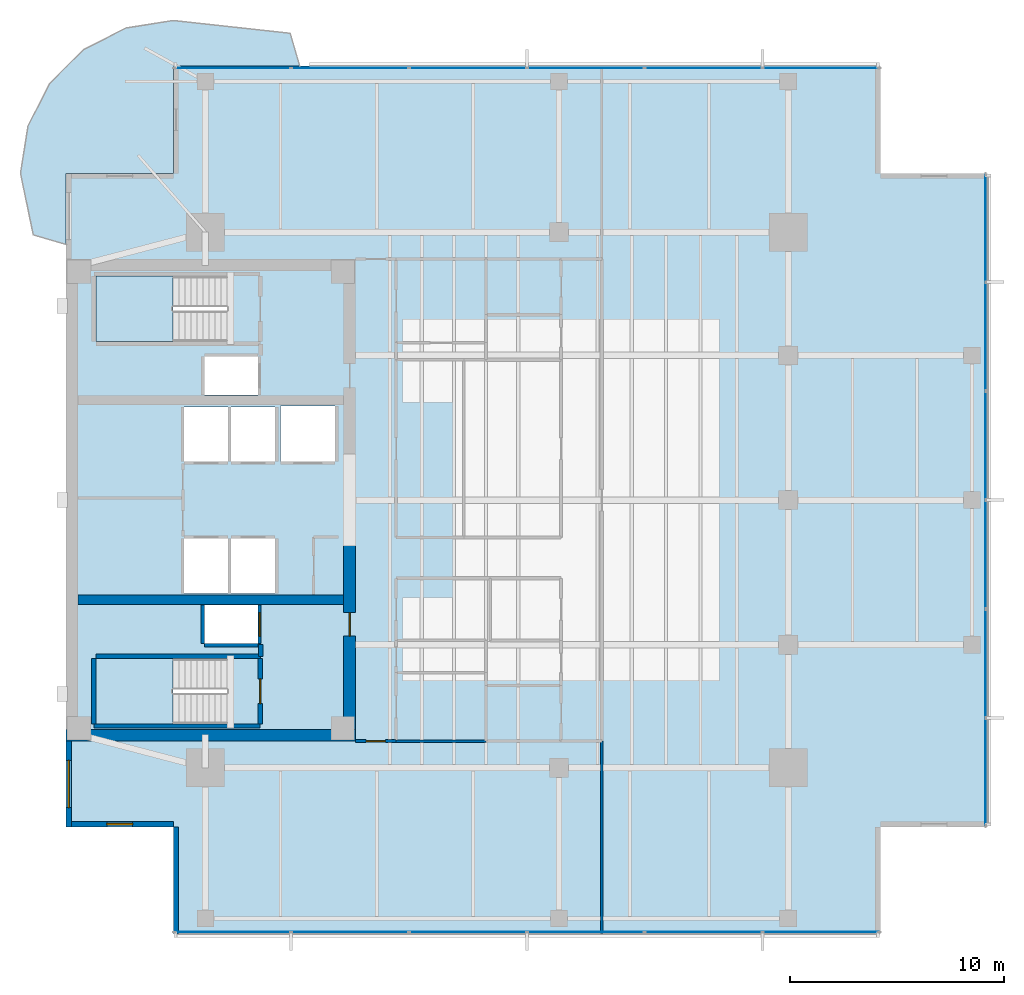
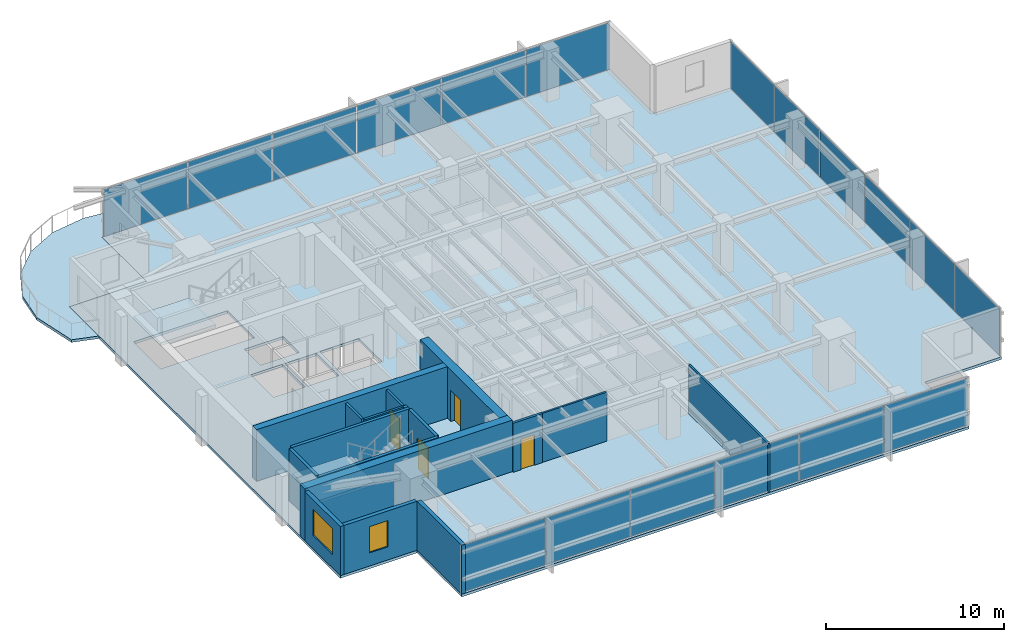
# One storey, part 7 of 14: 18 plates, 17 walls, 4 doors, 4 slabs, 2 windows, 6 openings, 5 elements without a shape of their own.
"""IFC4 building model written with IfcOpenShell, lengths in metres."""

from ifc_helpers import new_model, si_unit, direction, frame, frame_2d, origin, origin_2d, place, context, subcontext, project, spatial, polyline, rectangle, outline, extrude, material, layer, layer_set, type_object, element, fill, aggregate, save


model = new_model("IFC4")

# Units and contexts
model_context = context("Model", 3, precision=1e-05, world=origin(), true_north=direction((0.0, 1.0)))
body_context = subcontext(model_context, "Body", "Model", "MODEL_VIEW")
ifc_project = project(units=[si_unit("LENGTHUNIT", "METRE"), si_unit("AREAUNIT", "SQUARE_METRE"), si_unit("VOLUMEUNIT", "CUBIC_METRE"), si_unit("PLANEANGLEUNIT", "RADIAN"), si_unit("MASSUNIT", "GRAM", prefix="KILO")], contexts=[model_context])

# Site, building, storey
site_placement = place(None, origin())
site = spatial("IfcSite", under=ifc_project, at=site_placement, CompositionType="ELEMENT")
building_placement = place(site_placement, origin())
building = spatial("IfcBuilding", under=site, at=building_placement, Name="Kinhvarn Gate Tower", CompositionType="ELEMENT")
storey_placement = place(building_placement, frame((0.0, 0.0, 191.60009765625)))
storey = spatial("IfcBuildingStorey", under=building, at=storey_placement, Name="L50", CompositionType="ELEMENT", Elevation=191.60009765625)

# Curtain wall, plates
ifc_material_1 = material(Name="Anodised aluminium AW-6063", Category="aluminium")
ifc_layer_1 = layer(ifc_material_1, 0.179931640625)
ifc_layer_set_1 = layer_set([ifc_layer_1], Name="Anodised aluminium AW-6063")
curtain_wall_type = type_object("IfcCurtainWallType", Name="CW-SYS-3", PredefinedType="NOTDEFINED", material=ifc_layer_set_1)
curtain_wall_1_placement = place(storey_placement, origin())
curtain_wall_1 = element("IfcCurtainWall", 1, at=curtain_wall_1_placement, inside=storey, type_object=curtain_wall_type, Name="Curtain Wall CW3 (L50)", PredefinedType="NOTDEFINED")
ifc_material_2 = material(Name="Clear low-e double glazing", Category="glass")
ifc_layer_2 = layer(ifc_material_2, 0.031982421875)
ifc_layer_set_2 = layer_set([ifc_layer_2], Name="Clear low-e double glazing")
plate_type = type_object("IfcPlateType", Name="CW-PNL-VIS", PredefinedType="CURTAIN_PANEL", material=ifc_layer_set_2)
plate_1_placement = place(storey_placement, frame((12.266357421875, 5.090087890625, 0.06982421875), z_axis=(0.0, 0.0, 1.0), x_axis=(1.0, 0.0, 0.0)))
plate_1 = element("IfcPlate", 2, at=plate_1_placement, type_object=plate_type, Name="CW3 panel 1.1", PredefinedType="CURTAIN_PANEL", context=body_context, shape_type="SweptSolid", body=[
    extrude(rectangle(XDim=5.402587890625, YDim=0.031982421875, at=origin_2d()), origin(), (0.0, 0.0, 1.0), 3.22998046875),
])
plate_2_placement = place(storey_placement, frame((17.75, 5.090087890625, 0.06982421875), z_axis=(0.0, 0.0, 1.0), x_axis=(1.0, 0.0, 0.0)))
plate_2 = element("IfcPlate", 3, at=plate_2_placement, type_object=plate_type, Name="CW3 panel 2.1", PredefinedType="CURTAIN_PANEL", context=body_context, shape_type="SweptSolid", body=[
    extrude(rectangle(XDim=5.43505859375, YDim=0.031982421875, at=origin_2d()), origin(), (0.0, 0.0, 1.0), 3.22998046875),
])
plate_3_placement = place(storey_placement, frame((23.25, 5.090087890625, 0.06982421875), z_axis=(0.0, 0.0, 1.0), x_axis=(1.0, 0.0, 0.0)))
plate_3 = element("IfcPlate", 4, at=plate_3_placement, type_object=plate_type, Name="CW3 panel 3.1", PredefinedType="CURTAIN_PANEL", context=body_context, shape_type="SweptSolid", body=[
    extrude(rectangle(XDim=5.43505859375, YDim=0.031982421875, at=origin_2d()), origin(), (0.0, 0.0, 1.0), 3.22998046875),
])
plate_4_placement = place(storey_placement, frame((28.75, 5.090087890625, 0.06982421875), z_axis=(0.0, 0.0, 1.0), x_axis=(1.0, 0.0, 0.0)))
plate_4 = element("IfcPlate", 5, at=plate_4_placement, type_object=plate_type, Name="CW3 panel 4.1", PredefinedType="CURTAIN_PANEL", context=body_context, shape_type="SweptSolid", body=[
    extrude(rectangle(XDim=5.43505859375, YDim=0.031982421875, at=origin_2d()), origin(), (0.0, 0.0, 1.0), 3.22998046875),
])
plate_5_placement = place(storey_placement, frame((34.25, 5.090087890625, 0.06982421875), z_axis=(0.0, 0.0, 1.0), x_axis=(1.0, 0.0, 0.0)))
plate_5 = element("IfcPlate", 6, at=plate_5_placement, type_object=plate_type, Name="CW3 panel 5.1", PredefinedType="CURTAIN_PANEL", context=body_context, shape_type="SweptSolid", body=[
    extrude(rectangle(XDim=5.43505859375, YDim=0.031982421875, at=origin_2d()), origin(), (0.0, 0.0, 1.0), 3.22998046875),
])
plate_6_placement = place(storey_placement, frame((39.733642578125, 5.090087890625, 0.06982421875), z_axis=(0.0, 0.0, 1.0), x_axis=(1.0, 0.0, 0.0)))
plate_6 = element("IfcPlate", 7, at=plate_6_placement, type_object=plate_type, Name="CW3 panel 6.1", PredefinedType="CURTAIN_PANEL", context=body_context, shape_type="SweptSolid", body=[
    extrude(rectangle(XDim=5.402587890625, YDim=0.031982421875, at=origin_2d()), origin(), (0.0, 0.0, 1.0), 3.22998046875),
])
aggregate(curtain_wall_1, [plate_1, plate_2, plate_3, plate_4, plate_5, plate_6])

curtain_wall_2_placement = place(storey_placement, origin())
curtain_wall_2 = element("IfcCurtainWall", 8, at=curtain_wall_2_placement, inside=storey, type_object=curtain_wall_type, Name="Curtain Wall CW3 (L50)", PredefinedType="NOTDEFINED")
plate_7_placement = place(storey_placement, frame((39.733642578125, 45.409912109375, 0.06982421875), z_axis=(0.0, 0.0, 1.0), x_axis=(-1.0, 0.0, 0.0)))
plate_7 = element("IfcPlate", 9, at=plate_7_placement, type_object=plate_type, Name="CW3 panel 1.1", PredefinedType="CURTAIN_PANEL", context=body_context, shape_type="SweptSolid", body=[
    extrude(rectangle(XDim=5.402587890625, YDim=0.031982421875, at=origin_2d()), origin(), (0.0, 0.0, 1.0), 3.22998046875),
])
plate_8_placement = place(storey_placement, frame((34.25, 45.409912109375, 0.06982421875), z_axis=(0.0, 0.0, 1.0), x_axis=(-1.0, 0.0, 0.0)))
plate_8 = element("IfcPlate", 10, at=plate_8_placement, type_object=plate_type, Name="CW3 panel 2.1", PredefinedType="CURTAIN_PANEL", context=body_context, shape_type="SweptSolid", body=[
    extrude(rectangle(XDim=5.43505859375, YDim=0.031982421875, at=origin_2d()), origin(), (0.0, 0.0, 1.0), 3.22998046875),
])
plate_9_placement = place(storey_placement, frame((28.75, 45.409912109375, 0.06982421875), z_axis=(0.0, 0.0, 1.0), x_axis=(-1.0, 0.0, 0.0)))
plate_9 = element("IfcPlate", 11, at=plate_9_placement, type_object=plate_type, Name="CW3 panel 3.1", PredefinedType="CURTAIN_PANEL", context=body_context, shape_type="SweptSolid", body=[
    extrude(rectangle(XDim=5.43505859375, YDim=0.031982421875, at=origin_2d()), origin(), (0.0, 0.0, 1.0), 3.22998046875),
])
plate_10_placement = place(storey_placement, frame((23.25, 45.409912109375, 0.06982421875), z_axis=(0.0, 0.0, 1.0), x_axis=(-1.0, 0.0, 0.0)))
plate_10 = element("IfcPlate", 12, at=plate_10_placement, type_object=plate_type, Name="CW3 panel 4.1", PredefinedType="CURTAIN_PANEL", context=body_context, shape_type="SweptSolid", body=[
    extrude(rectangle(XDim=5.43505859375, YDim=0.031982421875, at=origin_2d()), origin(), (0.0, 0.0, 1.0), 3.22998046875),
])
plate_11_placement = place(storey_placement, frame((17.75, 45.409912109375, 0.06982421875), z_axis=(0.0, 0.0, 1.0), x_axis=(-1.0, 0.0, 0.0)))
plate_11 = element("IfcPlate", 13, at=plate_11_placement, type_object=plate_type, Name="CW3 panel 5.1", PredefinedType="CURTAIN_PANEL", context=body_context, shape_type="SweptSolid", body=[
    extrude(rectangle(XDim=5.43505859375, YDim=0.031982421875, at=origin_2d()), origin(), (0.0, 0.0, 1.0), 3.22998046875),
])
plate_12_placement = place(storey_placement, frame((12.266357421875, 45.409912109375, 0.06982421875), z_axis=(0.0, 0.0, 1.0), x_axis=(-1.0, 0.0, 0.0)))
plate_12 = element("IfcPlate", 14, at=plate_12_placement, type_object=plate_type, Name="CW3 panel 6.1", PredefinedType="CURTAIN_PANEL", context=body_context, shape_type="SweptSolid", body=[
    extrude(rectangle(XDim=5.402587890625, YDim=0.031982421875, at=origin_2d()), origin(), (0.0, 0.0, 1.0), 3.22998046875),
])
aggregate(curtain_wall_2, [plate_7, plate_8, plate_9, plate_10, plate_11, plate_12])

curtain_wall_3_placement = place(storey_placement, origin())
curtain_wall_3 = element("IfcCurtainWall", 15, at=curtain_wall_3_placement, inside=storey, type_object=curtain_wall_type, Name="Curtain Wall CW3 (L50)", PredefinedType="NOTDEFINED")
plate_13_placement = place(storey_placement, frame((47.409912109375, 12.557861328125, 0.06982421875), z_axis=(0.0, 0.0, 1.0), x_axis=(0.0, 1.0, 0.0)))
plate_13 = element("IfcPlate", 16, at=plate_13_placement, type_object=plate_type, Name="CW3 panel 1.1", PredefinedType="CURTAIN_PANEL", context=body_context, shape_type="SweptSolid", body=[
    extrude(rectangle(XDim=4.98583984375, YDim=0.031982421875, at=origin_2d()), origin(), (0.0, 0.0, 1.0), 3.22998046875),
])
plate_14_placement = place(storey_placement, frame((47.409912109375, 17.625, 0.06982421875), z_axis=(0.0, 0.0, 1.0), x_axis=(0.0, 1.0, 0.0)))
plate_14 = element("IfcPlate", 17, at=plate_14_placement, type_object=plate_type, Name="CW3 panel 2.1", PredefinedType="CURTAIN_PANEL", context=body_context, shape_type="SweptSolid", body=[
    extrude(rectangle(XDim=5.018310546875, YDim=0.031982421875, at=origin_2d()), origin(), (0.0, 0.0, 1.0), 3.22998046875),
])
plate_15_placement = place(storey_placement, frame((47.409912109375, 22.708251953125, 0.06982421875), z_axis=(0.0, 0.0, 1.0), x_axis=(0.0, 1.0, 0.0)))
plate_15 = element("IfcPlate", 18, at=plate_15_placement, type_object=plate_type, Name="CW3 panel 3.1", PredefinedType="CURTAIN_PANEL", context=body_context, shape_type="SweptSolid", body=[
    extrude(rectangle(XDim=5.018310546875, YDim=0.031982421875, at=origin_2d()), origin(), (0.0, 0.0, 1.0), 3.22998046875),
])
plate_16_placement = place(storey_placement, frame((47.409912109375, 27.791748046875, 0.06982421875), z_axis=(0.0, 0.0, 1.0), x_axis=(0.0, 1.0, 0.0)))
plate_16 = element("IfcPlate", 19, at=plate_16_placement, type_object=plate_type, Name="CW3 panel 4.1", PredefinedType="CURTAIN_PANEL", context=body_context, shape_type="SweptSolid", body=[
    extrude(rectangle(XDim=5.018310546875, YDim=0.031982421875, at=origin_2d()), origin(), (0.0, 0.0, 1.0), 3.22998046875),
])
plate_17_placement = place(storey_placement, frame((47.409912109375, 32.875, 0.06982421875), z_axis=(0.0, 0.0, 1.0), x_axis=(0.0, 1.0, 0.0)))
plate_17 = element("IfcPlate", 20, at=plate_17_placement, type_object=plate_type, Name="CW3 panel 5.1", PredefinedType="CURTAIN_PANEL", context=body_context, shape_type="SweptSolid", body=[
    extrude(rectangle(XDim=5.018310546875, YDim=0.031982421875, at=origin_2d()), origin(), (0.0, 0.0, 1.0), 3.22998046875),
])
plate_18_placement = place(storey_placement, frame((47.409912109375, 37.942138671875, 0.06982421875), z_axis=(0.0, 0.0, 1.0), x_axis=(0.0, 1.0, 0.0)))
plate_18 = element("IfcPlate", 21, at=plate_18_placement, type_object=plate_type, Name="CW3 panel 6.1", PredefinedType="CURTAIN_PANEL", context=body_context, shape_type="SweptSolid", body=[
    extrude(rectangle(XDim=4.98583984375, YDim=0.031982421875, at=origin_2d()), origin(), (0.0, 0.0, 1.0), 3.22998046875),
])
aggregate(curtain_wall_3, [plate_13, plate_14, plate_15, plate_16, plate_17, plate_18])

# Slabs
ifc_material_3 = material(Name="Precast white architectural concrete C40/50", Category="concrete")
ifc_layer_3 = layer(ifc_material_3, 0.179931640625)
ifc_layer_set_3 = layer_set([ifc_layer_3], Name="Precast white architectural concrete C40/50")
slab_type_1 = type_object("IfcSlabType", Name="SLB-BAL-180", PredefinedType="FLOOR", material=ifc_layer_set_3)
slab_1_placement = place(storey_placement, frame((0.0, 0.0, -0.18017578125)))
element("IfcSlab", 22, at=slab_1_placement, inside=storey, type_object=slab_type_1, Name="S-Carve Curved Terrace Balcony Slab L50 (NW)", PredefinedType="FLOOR", context=body_context, shape_type="SweptSolid", body=[
    extrude(outline(polyline([(15.403076171875, 45.5), (14.952880859375, 47.0341796875), (9.5, 47.631103515625), (7.29638671875, 47.281982421875), (5.30859375, 46.26904296875), (3.73095703125, 44.69140625), (2.718017578125, 42.70361328125), (2.368896484375, 40.5), (2.9658203125, 37.626953125), (4.5, 37.177001953125), (4.5, 40.5), (9.5, 40.5), (9.5, 45.5), (15.403076171875, 45.5)])), origin(), (0.0, 0.0, 1.0), 0.18017578125),
])
ifc_material_4 = material(Name="Concrete C40/50", Category="concrete")
ifc_layer_4 = layer(ifc_material_4, 0.179931640625)
ifc_layer_set_4 = layer_set([ifc_layer_4], Name="Concrete C40/50")
slab_type_2 = type_object("IfcSlabType", Name="SLB-FLR-180", PredefinedType="FLOOR", material=ifc_layer_set_4)
slab_2_placement = place(storey_placement, frame((0.0, 0.0, -0.18017578125)))
element("IfcSlab", 23, at=slab_2_placement, inside=storey, type_object=slab_type_2, Name="Suspended Floor Slab L50", PredefinedType="FLOOR", context=body_context, shape_type="SweptSolid", body=[
    extrude(outline(polyline([(9.5, 5.0), (42.5, 5.0), (42.5, 10.0), (47.5, 10.0), (47.5, 40.5), (42.5, 40.5), (42.5, 45.5), (9.5, 45.5), (9.5, 40.5), (4.5, 40.5), (4.5, 10.0), (9.5, 10.0), (9.5, 5.0)]), holes=[polyline([(5.89990234375, 14.800048828125), (12.0, 14.800048828125), (12.0, 17.85009765625), (5.89990234375, 17.85009765625), (5.89990234375, 14.800048828125)]), polyline([(5.89990234375, 32.64990234375), (12.0, 32.64990234375), (12.0, 35.699951171875), (5.89990234375, 35.699951171875), (5.89990234375, 32.64990234375)]), polyline([(10.0, 20.89990234375), (12.050048828125, 20.89990234375), (12.050048828125, 23.449951171875), (10.0, 23.449951171875), (10.0, 20.89990234375)]), polyline([(12.199951171875, 20.89990234375), (14.25, 20.89990234375), (14.25, 23.449951171875), (12.199951171875, 23.449951171875), (12.199951171875, 20.89990234375)]), polyline([(10.0, 27.050048828125), (12.050048828125, 27.050048828125), (12.050048828125, 29.60009765625), (10.0, 29.60009765625), (10.0, 27.050048828125)]), polyline([(12.199951171875, 27.050048828125), (14.25, 27.050048828125), (14.25, 29.60009765625), (12.199951171875, 29.60009765625), (12.199951171875, 27.050048828125)]), polyline([(14.5, 27.050048828125), (17.050048828125, 27.050048828125), (17.050048828125, 29.64990234375), (14.5, 29.64990234375), (14.5, 27.050048828125)]), polyline([(10.949951171875, 18.550048828125), (13.449951171875, 18.550048828125), (13.449951171875, 20.35009765625), (10.949951171875, 20.35009765625), (10.949951171875, 18.550048828125)]), polyline([(10.949951171875, 30.14990234375), (13.449951171875, 30.14990234375), (13.449951171875, 31.949951171875), (10.949951171875, 31.949951171875), (10.949951171875, 30.14990234375)])]), origin(), (0.0, 0.0, 1.0), 0.18017578125),
])

# Stair, slab
stair_type = type_object("IfcStairType", Name="STR-DLG-178", PredefinedType="HALF_TURN_STAIR", material=ifc_material_4)
stair_1_placement = place(storey_placement, origin())
stair_1 = element("IfcStair", 24, at=stair_1_placement, inside=storey, type_object=stair_type, Name="L50 Core Smokeproof Exit Stair ST1", PredefinedType="HALF_TURN_STAIR")
ifc_layer_5 = layer(ifc_material_4, 0.199951171875)
ifc_layer_set_5 = layer_set([ifc_layer_5], Name="Concrete C40/50")
slab_type_3 = type_object("IfcSlabType", Name="SLB-ST-LND", PredefinedType="LANDING", material=ifc_layer_set_5)
slab_3_placement = place(storey_placement, frame((0.0, 0.0, 1.574951171875)))
slab_3 = element("IfcSlab", 25, at=slab_3_placement, type_object=slab_type_3, Name="ST1 landing 1", PredefinedType="LANDING", context=body_context, shape_type="SweptSolid", body=[
    extrude(outline(polyline([(9.47998046875, 17.85009765625), (5.89990234375, 17.85009765625), (5.89990234375, 14.800048828125), (9.47998046875, 14.800048828125), (9.47998046875, 17.85009765625)])), origin(), (0.0, 0.0, 1.0), 0.199951171875),
])
aggregate(stair_1, [slab_3])

stair_2_placement = place(storey_placement, origin())
stair_2 = element("IfcStair", 26, at=stair_2_placement, inside=storey, type_object=stair_type, Name="L50 Core Smokeproof Exit Stair ST2", PredefinedType="HALF_TURN_STAIR")
slab_4_placement = place(storey_placement, frame((0.0, 0.0, 1.574951171875)))
slab_4 = element("IfcSlab", 27, at=slab_4_placement, type_object=slab_type_3, Name="ST2 landing 1", PredefinedType="LANDING", context=body_context, shape_type="SweptSolid", body=[
    extrude(outline(polyline([(9.47998046875, 35.699951171875), (5.89990234375, 35.699951171875), (5.89990234375, 32.64990234375), (9.47998046875, 32.64990234375), (9.47998046875, 35.699951171875)])), origin(), (0.0, 0.0, 1.0), 0.199951171875),
])
aggregate(stair_2, [slab_4])

# Walls
ifc_material_5 = material(Name="Concrete C50/60", Category="concrete")
ifc_layer_6 = layer(ifc_material_5, 0.449951171875)
ifc_layer_set_6 = layer_set([ifc_layer_6], Name="Concrete C50/60")
wall_type_1 = type_object("IfcWallType", Name="WL-CORE-450", PredefinedType="SHEAR", material=ifc_layer_set_6)
wall_1_placement = place(storey_placement, frame((5.050048828125, 20.60009765625, 0.0), z_axis=(0.0, 0.0, 1.0), x_axis=(1.0, 0.0, 0.0)))
element("IfcWall", 28, at=wall_1_placement, inside=storey, type_object=wall_type_1, Name="Core South Spine Shear Wall L50 450 mm", PredefinedType="SHEAR", context=body_context, shape_type="SweptSolid", body=[
    extrude(rectangle(XDim=12.39990234375, YDim=0.449951171875, at=frame_2d((6.199951171875, 0.0))), origin(), (0.0, 0.0, 1.0), 3.5498046875),
])
ifc_material_6 = material(Name="Concrete C60/75", Category="concrete")
ifc_layer_7 = layer(ifc_material_6, 0.550048828125)
ifc_layer_set_7 = layer_set([ifc_layer_7], Name="Concrete C60/75")
wall_type_2 = type_object("IfcWallType", Name="WL-CORE-550", PredefinedType="SHEAR", material=ifc_layer_set_7)
wall_2_placement = place(storey_placement, frame((4.5, 14.27490234375, 0.0), z_axis=(0.0, 0.0, 1.0), x_axis=(1.0, 0.0, 0.0)))
element("IfcWall", 29, at=wall_2_placement, inside=storey, type_object=wall_type_2, Name="Core South Shear Wall L50 550 mm", PredefinedType="SHEAR", context=body_context, shape_type="SweptSolid", body=[
    extrude(rectangle(XDim=13.5, YDim=0.550048828125, at=frame_2d((6.75, 0.0))), origin(), (0.0, 0.0, 1.0), 3.5498046875),
])

# Wall, opening, door
wall_3_placement = place(storey_placement, frame((17.72509765625, 14.550048828125, 0.0), z_axis=(0.0, 0.0, 1.0), x_axis=(0.0, 1.0, 0.0)))
wall_3 = element("IfcWall", 30, at=wall_3_placement, inside=storey, type_object=wall_type_2, Name="Core East-South Shear Pier L50 550 mm", PredefinedType="SHEAR", context=body_context, shape_type="SweptSolid", body=[
    extrude(rectangle(XDim=8.89990234375, YDim=0.550048828125, at=frame_2d((4.449951171875, 0.0))), origin(), (0.0, 0.0, 1.0), 3.5498046875),
])
opening_1_placement = place(wall_3_placement, frame((4.35009765625, 0.0, 0.0)))
opening_1 = element("IfcOpeningElement", 31, at=opening_1_placement, cuts=wall_3, Name="Opening FD-02", PredefinedType="OPENING", context=body_context, shape_type="SweptSolid", body=[
    extrude(rectangle(XDim=1.10009765625, YDim=2.14990234375, at=frame_2d((0.550048828125, 1.074951171875))), frame((0.0, 0.28515625, 0.0), z_axis=(0.0, -1.0, 0.0), x_axis=(1.0, 0.0, 0.0)), (0.0, 0.0, 1.0), 0.570068359375),
])
door_type_1 = type_object("IfcDoorType", Name="DR-FD-1100", OperationType="NOTDEFINED", PredefinedType="DOOR", material=ifc_material_1)
door_1_placement = place(opening_1_placement, origin())
door_1 = element("IfcDoor", 32, at=door_1_placement, inside=storey, type_object=door_type_1, Name="Firefighting Lobby Core Door (L50)", OperationType="SINGLE_SWING_RIGHT", OverallHeight=2.14990234375, OverallWidth=1.10009765625, PredefinedType="DOOR", context=body_context, shape_type="SweptSolid", body=[
    extrude(rectangle(XDim=1.10009765625, YDim=2.14990234375, at=frame_2d((0.550048828125, 1.074951171875))), frame((0.0, 0.02490234375, 0.0), z_axis=(0.0, -1.0, 0.0), x_axis=(1.0, 0.0, 0.0)), (0.0, 0.0, 1.0), 0.050048828125),
])
fill(opening_1, door_1)

# Wall, opening, window
ifc_material_7 = material(Name="Fired architectural terracotta", Category="masonry")
ifc_layer_8 = layer(ifc_material_7, 0.25)
ifc_layer_set_8 = layer_set([ifc_layer_8], Name="Fired architectural terracotta")
wall_type_3 = type_object("IfcWallType", Name="WL-EXT-250", PredefinedType="SOLIDWALL", material=ifc_layer_set_8)
wall_4_placement = place(storey_placement, frame((4.625, 14.0, 0.0), z_axis=(0.0, 0.0, 1.0), x_axis=(0.0, -1.0, 0.0)))
wall_4 = element("IfcWall", 33, at=wall_4_placement, inside=storey, type_object=wall_type_3, Name="Exterior Solidwall Wall EW-250 (L50 West-South)", PredefinedType="SOLIDWALL", context=body_context, shape_type="SweptSolid", body=[
    extrude(rectangle(XDim=4.0, YDim=0.25, at=frame_2d((2.0, 0.0))), origin(), (0.0, 0.0, 1.0), 3.369873046875),
])
opening_2_placement = place(wall_4_placement, frame((0.89990234375, 0.0, 0.89990234375)))
opening_2 = element("IfcOpeningElement", 34, at=opening_2_placement, cuts=wall_4, Name="Opening WN-01", PredefinedType="OPENING", context=body_context, shape_type="SweptSolid", body=[
    extrude(rectangle(XDim=2.199951171875, YDim=1.800048828125, at=frame_2d((1.10009765625, 0.89990234375))), frame((0.0, 0.135009765625, 0.0), z_axis=(0.0, -1.0, 0.0), x_axis=(1.0, 0.0, 0.0)), (0.0, 0.0, 1.0), 0.27001953125),
])
window_type_1 = type_object("IfcWindowType", Name="WIN-RIB-2200", PartitioningType="SINGLE_PANEL", PredefinedType="WINDOW", material=ifc_material_2)
window_1_placement = place(opening_2_placement, origin())
window_1 = element("IfcWindow", 35, at=window_1_placement, inside=storey, type_object=window_type_1, Name="West Flank Double-Glazed Ribbon Window 2200x1800 mm (L50)", OverallHeight=1.800048828125, OverallWidth=2.199951171875, PartitioningType="SINGLE_PANEL", PredefinedType="WINDOW", context=body_context, shape_type="SweptSolid", body=[
    extrude(rectangle(XDim=2.199951171875, YDim=1.800048828125, at=frame_2d((1.10009765625, 0.89990234375))), frame((0.0, 0.030029296875, 0.0), z_axis=(0.0, -1.0, 0.0), x_axis=(1.0, 0.0, 0.0)), (0.0, 0.0, 1.0), 0.06005859375),
])
fill(opening_2, window_1)

wall_5_placement = place(storey_placement, frame((4.5, 10.125, 0.0), z_axis=(0.0, 0.0, 1.0), x_axis=(1.0, 0.0, 0.0)))
wall_5 = element("IfcWall", 36, at=wall_5_placement, inside=storey, type_object=wall_type_3, Name="Exterior Solidwall Wall EW-250 (L50 SW-Notch-1)", PredefinedType="SOLIDWALL", context=body_context, shape_type="SweptSolid", body=[
    extrude(rectangle(XDim=5.0, YDim=0.25, at=frame_2d((2.5, 0.0))), origin(), (0.0, 0.0, 1.0), 3.369873046875),
])
opening_3_placement = place(wall_5_placement, frame((1.89990234375, 0.0, 0.89990234375)))
opening_3 = element("IfcOpeningElement", 37, at=opening_3_placement, cuts=wall_5, Name="Opening WN-02", PredefinedType="OPENING", context=body_context, shape_type="SweptSolid", body=[
    extrude(rectangle(XDim=1.199951171875, YDim=1.800048828125, at=frame_2d((0.60009765625, 0.89990234375))), frame((0.0, 0.135009765625, 0.0), z_axis=(0.0, -1.0, 0.0), x_axis=(1.0, 0.0, 0.0)), (0.0, 0.0, 1.0), 0.27001953125),
])
window_type_2 = type_object("IfcWindowType", Name="WIN-NTC-1200", PartitioningType="SINGLE_PANEL", PredefinedType="WINDOW", material=ifc_material_2)
window_2_placement = place(opening_3_placement, origin())
window_2 = element("IfcWindow", 38, at=window_2_placement, inside=storey, type_object=window_type_2, Name="Recessed Corner Notch Punched Window 1200x1800 mm (L50)", OverallHeight=1.800048828125, OverallWidth=1.199951171875, PartitioningType="SINGLE_PANEL", PredefinedType="WINDOW", context=body_context, shape_type="SweptSolid", body=[
    extrude(rectangle(XDim=1.199951171875, YDim=1.800048828125, at=frame_2d((0.60009765625, 0.89990234375))), frame((0.0, 0.030029296875, 0.0), z_axis=(0.0, -1.0, 0.0), x_axis=(1.0, 0.0, 0.0)), (0.0, 0.0, 1.0), 0.06005859375),
])
fill(opening_3, window_2)

# Walls
wall_6_placement = place(storey_placement, frame((9.625, 10.0, 0.0), z_axis=(0.0, 0.0, 1.0), x_axis=(0.0, -1.0, 0.0)))
element("IfcWall", 39, at=wall_6_placement, inside=storey, type_object=wall_type_3, Name="Exterior Solidwall Wall EW-250 (L50 SW-Notch-2)", PredefinedType="SOLIDWALL", context=body_context, shape_type="SweptSolid", body=[
    extrude(rectangle(XDim=5.0, YDim=0.25, at=frame_2d((2.5, 0.0))), origin(), (0.0, 0.0, 1.0), 3.369873046875),
])
ifc_material_8 = material(Name="Gypsum acoustic partition board")
ifc_layer_9 = layer(ifc_material_8, 0.1201171875)
ifc_layer_set_9 = layer_set([ifc_layer_9], Name="Gypsum acoustic partition board")
wall_type_4 = type_object("IfcWallType", Name="WL-PRT-120", PredefinedType="PARTITIONING", material=ifc_layer_set_9)
wall_7_placement = place(storey_placement, frame((19.89990234375, 14.0, 0.0), z_axis=(0.0, 0.0, 1.0), x_axis=(1.0, 0.0, 0.0)))
element("IfcWall", 40, at=wall_7_placement, inside=storey, type_object=wall_type_4, Name="Interior Partition PW-120 (L50)", PredefinedType="PARTITIONING", context=body_context, shape_type="SweptSolid", body=[
    extrude(rectangle(XDim=4.2001953125, YDim=0.1201171875, at=frame_2d((2.10009765625, 0.0))), origin(), (0.0, 0.0, 1.0), 3.369873046875),
])
wall_8_placement = place(storey_placement, frame((29.5, 5.010009765625, 0.0), z_axis=(0.0, 0.0, 1.0), x_axis=(0.0, 1.0, 0.0)))
element("IfcWall", 41, at=wall_8_placement, inside=storey, type_object=wall_type_4, Name="Interior Partition PW-120 (L50)", PredefinedType="PARTITIONING", context=body_context, shape_type="SweptSolid", body=[
    extrude(rectangle(XDim=8.989990234375, YDim=0.1201171875, at=frame_2d((4.4951171875, 0.0))), origin(), (0.0, 0.0, 1.0), 3.369873046875),
])

# Wall, opening, door
ifc_layer_10 = layer(ifc_material_8, 0.14990234375)
ifc_layer_set_10 = layer_set([ifc_layer_10], Name="Gypsum acoustic partition board")
wall_type_5 = type_object("IfcWallType", Name="WL-PRT-150F", PredefinedType="PARTITIONING", material=ifc_layer_set_10)
wall_9_placement = place(storey_placement, frame((18.0, 14.0, 0.0), z_axis=(0.0, 0.0, 1.0), x_axis=(1.0, 0.0, 0.0)))
wall_9 = element("IfcWall", 42, at=wall_9_placement, inside=storey, type_object=wall_type_5, Name="Interior Partition PW-150F (L50)", PredefinedType="PARTITIONING", context=body_context, shape_type="SweptSolid", body=[
    extrude(rectangle(XDim=1.89990234375, YDim=0.14990234375, at=frame_2d((0.949951171875, 0.0))), origin(), (0.0, 0.0, 1.0), 3.369873046875),
])
opening_4_placement = place(wall_9_placement, frame((0.5, 0.0, 0.0)))
opening_4 = element("IfcOpeningElement", 43, at=opening_4_placement, cuts=wall_9, Name="Opening ID-03", PredefinedType="OPENING", context=body_context, shape_type="SweptSolid", body=[
    extrude(rectangle(XDim=0.89990234375, YDim=2.10009765625, at=frame_2d((0.449951171875, 1.050048828125))), frame((0.0, 0.0849609375, 0.0), z_axis=(0.0, -1.0, 0.0), x_axis=(1.0, 0.0, 0.0)), (0.0, 0.0, 1.0), 0.169921875),
])
door_type_2 = type_object("IfcDoorType", Name="DR-INT-900", OperationType="NOTDEFINED", PredefinedType="DOOR", material=ifc_material_1)
door_2_placement = place(opening_4_placement, origin())
door_2 = element("IfcDoor", 44, at=door_2_placement, inside=storey, type_object=door_type_2, Name="Cellular Office & Restroom Door 900x2100 mm (L50)", OperationType="SINGLE_SWING_LEFT", OverallHeight=2.10009765625, OverallWidth=0.89990234375, PredefinedType="DOOR", context=body_context, shape_type="SweptSolid", body=[
    extrude(rectangle(XDim=0.89990234375, YDim=2.10009765625, at=frame_2d((0.449951171875, 1.050048828125))), frame((0.0, 0.02490234375, 0.0), z_axis=(0.0, -1.0, 0.0), x_axis=(1.0, 0.0, 0.0)), (0.0, 0.0, 1.0), 0.050048828125),
])
fill(opening_4, door_2)

# Walls
ifc_layer_11 = layer(ifc_material_8, 0.199951171875)
ifc_layer_set_11 = layer_set([ifc_layer_11], Name="Gypsum acoustic partition board")
wall_type_6 = type_object("IfcWallType", Name="WL-PRT-200", PredefinedType="PARTITIONING", material=ifc_layer_set_11)
wall_10_placement = place(storey_placement, frame((13.580078125, 17.9599609375, 0.0), z_axis=(0.0, 0.0, 1.0), x_axis=(0.0, 1.0, 0.0)))
element("IfcWall", 45, at=wall_10_placement, inside=storey, type_object=wall_type_6, Name="Interior Partition PW-200 (L50)", PredefinedType="PARTITIONING", context=body_context, shape_type="SweptSolid", body=[
    extrude(rectangle(XDim=0.5400390625, YDim=0.199951171875, at=frame_2d((0.27001953125, 0.0))), origin(), (0.0, 0.0, 1.0), 3.369873046875),
])
ifc_layer_12 = layer(ifc_material_8, 0.14990234375)
ifc_layer_set_12 = layer_set([ifc_layer_12], Name="Gypsum acoustic partition board")
wall_type_7 = type_object("IfcWallType", Name="WL-SHF-150", PredefinedType="PARTITIONING", material=ifc_layer_set_12)
wall_11_placement = place(storey_placement, frame((10.949951171875, 18.47509765625, 0.0), z_axis=(0.0, 0.0, 1.0), x_axis=(1.0, 0.0, 0.0)))
element("IfcWall", 46, at=wall_11_placement, inside=storey, type_object=wall_type_7, Name="Elevator FF1 Hoistway Wall S (L50)", PredefinedType="PARTITIONING", context=body_context, shape_type="SweptSolid", body=[
    extrude(rectangle(XDim=2.5, YDim=0.14990234375, at=frame_2d((1.25, 0.0))), origin(), (0.0, 0.0, 1.0), 3.369873046875),
])
wall_12_placement = place(storey_placement, frame((10.875, 18.550048828125, 0.0), z_axis=(0.0, 0.0, 1.0), x_axis=(0.0, 1.0, 0.0)))
element("IfcWall", 47, at=wall_12_placement, inside=storey, type_object=wall_type_7, Name="Elevator FF1 Hoistway Wall W (L50)", PredefinedType="PARTITIONING", context=body_context, shape_type="SweptSolid", body=[
    extrude(rectangle(XDim=1.800048828125, YDim=0.14990234375, at=frame_2d((0.89990234375, 0.0))), origin(), (0.0, 0.0, 1.0), 3.369873046875),
])

# Wall, opening, door
wall_13_placement = place(storey_placement, frame((13.52490234375, 18.550048828125, 0.0), z_axis=(0.0, 0.0, 1.0), x_axis=(0.0, 1.0, 0.0)))
wall_13 = element("IfcWall", 48, at=wall_13_placement, inside=storey, type_object=wall_type_7, Name="Elevator FF1 Landing Wall (L50)", PredefinedType="PARTITIONING", context=body_context, shape_type="SweptSolid", body=[
    extrude(rectangle(XDim=1.800048828125, YDim=0.14990234375, at=frame_2d((0.89990234375, 0.0))), origin(), (0.0, 0.0, 1.0), 3.369873046875),
])
opening_5_placement = place(wall_13_placement, frame((0.35009765625, 0.0, 0.0)))
opening_5 = element("IfcOpeningElement", 49, at=opening_5_placement, cuts=wall_13, Name="Opening LD-03", PredefinedType="OPENING", context=body_context, shape_type="SweptSolid", body=[
    extrude(rectangle(XDim=1.10009765625, YDim=2.199951171875, at=frame_2d((0.550048828125, 1.10009765625))), frame((0.0, 0.0849609375, 0.0), z_axis=(0.0, -1.0, 0.0), x_axis=(1.0, 0.0, 0.0)), (0.0, 0.0, 1.0), 0.169921875),
])
door_type_3 = type_object("IfcDoorType", Name="DR-LND-FF", OperationType="NOTDEFINED", PredefinedType="DOOR", material=ifc_material_1)
door_3_placement = place(opening_5_placement, origin())
door_3 = element("IfcDoor", 50, at=door_3_placement, inside=storey, type_object=door_type_3, Name="Elevator FF1 Sliding Landing Door (L50)", OperationType="DOUBLE_DOOR_SLIDING", OverallHeight=2.199951171875, OverallWidth=1.10009765625, PredefinedType="DOOR", context=body_context, shape_type="SweptSolid", body=[
    extrude(rectangle(XDim=1.10009765625, YDim=2.199951171875, at=frame_2d((0.550048828125, 1.10009765625))), frame((0.0, 0.02490234375, 0.0), z_axis=(0.0, -1.0, 0.0), x_axis=(1.0, 0.0, 0.0)), (0.0, 0.0, 1.0), 0.050048828125),
])
fill(opening_5, door_3)

# Walls
ifc_layer_13 = layer(ifc_material_4, 0.199951171875)
ifc_layer_set_13 = layer_set([ifc_layer_13], Name="Concrete C40/50")
wall_type_8 = type_object("IfcWallType", Name="WL-SHF-200", PredefinedType="SOLIDWALL", material=ifc_layer_set_13)
wall_14_placement = place(storey_placement, frame((5.800048828125, 14.699951171875, 0.0), z_axis=(0.0, 0.0, 1.0), x_axis=(1.0, 0.0, 0.0)))
element("IfcWall", 51, at=wall_14_placement, inside=storey, type_object=wall_type_8, Name="Stair ST1 South Shaft Wall (L50)", PredefinedType="SOLIDWALL", context=body_context, shape_type="SweptSolid", body=[
    extrude(rectangle(XDim=7.75, YDim=0.199951171875, at=frame_2d((3.875, 0.0))), origin(), (0.0, 0.0, 1.0), 3.5498046875),
])
wall_15_placement = place(storey_placement, frame((5.7900390625, 14.800048828125, 0.0), z_axis=(0.0, 0.0, 1.0), x_axis=(0.0, 1.0, 0.0)))
element("IfcWall", 52, at=wall_15_placement, inside=storey, type_object=wall_type_8, Name="Stair ST1 West Shaft Wall (L50)", PredefinedType="SOLIDWALL", context=body_context, shape_type="SweptSolid", body=[
    extrude(rectangle(XDim=3.050048828125, YDim=0.199951171875, at=frame_2d((1.52490234375, 0.0))), origin(), (0.0, 0.0, 1.0), 3.5498046875),
])
wall_16_placement = place(storey_placement, frame((5.89990234375, 17.9599609375, 0.0), z_axis=(0.0, 0.0, 1.0), x_axis=(1.0, 0.0, 0.0)))
element("IfcWall", 53, at=wall_16_placement, inside=storey, type_object=wall_type_8, Name="Stair ST1 North Shaft Wall (L50)", PredefinedType="SOLIDWALL", context=body_context, shape_type="SweptSolid", body=[
    extrude(rectangle(XDim=7.66015625, YDim=0.199951171875, at=frame_2d((3.830078125, 0.0))), origin(), (0.0, 0.0, 1.0), 3.5498046875),
])

# Wall, opening, door
wall_17_placement = place(storey_placement, frame((13.56005859375, 14.800048828125, 0.0), z_axis=(0.0, 0.0, 1.0), x_axis=(0.0, 1.0, 0.0)))
wall_17 = element("IfcWall", 54, at=wall_17_placement, inside=storey, type_object=wall_type_8, Name="Stair ST1 East Entry Wall (L50)", PredefinedType="SOLIDWALL", context=body_context, shape_type="SweptSolid", body=[
    extrude(rectangle(XDim=3.050048828125, YDim=0.199951171875, at=frame_2d((1.52490234375, 0.0))), origin(), (0.0, 0.0, 1.0), 3.5498046875),
])
opening_6_placement = place(wall_17_placement, frame((0.949951171875, 0.0, 0.0)))
opening_6 = element("IfcOpeningElement", 55, at=opening_6_placement, cuts=wall_17, Name="Opening FD-01", PredefinedType="OPENING", context=body_context, shape_type="SweptSolid", body=[
    extrude(rectangle(XDim=1.14990234375, YDim=2.14990234375, at=frame_2d((0.574951171875, 1.074951171875))), frame((0.0, 0.10986328125, 0.0), z_axis=(0.0, -1.0, 0.0), x_axis=(1.0, 0.0, 0.0)), (0.0, 0.0, 1.0), 0.219970703125),
])
door_type_4 = type_object("IfcDoorType", Name="DR-ST-1150", OperationType="NOTDEFINED", PredefinedType="DOOR", material=ifc_material_1)
door_4_placement = place(opening_6_placement, origin())
door_4 = element("IfcDoor", 56, at=door_4_placement, inside=storey, type_object=door_type_4, Name="Exit Stair ST1 Fire Door (L50)", OperationType="SINGLE_SWING_RIGHT", OverallHeight=2.14990234375, OverallWidth=1.14990234375, PredefinedType="DOOR", context=body_context, shape_type="SweptSolid", body=[
    extrude(rectangle(XDim=1.14990234375, YDim=2.14990234375, at=frame_2d((0.574951171875, 1.074951171875))), frame((0.0, 0.02490234375, 0.0), z_axis=(0.0, -1.0, 0.0), x_axis=(1.0, 0.0, 0.0)), (0.0, 0.0, 1.0), 0.050048828125),
])
fill(opening_6, door_4)

save(model, "model.ifc")
